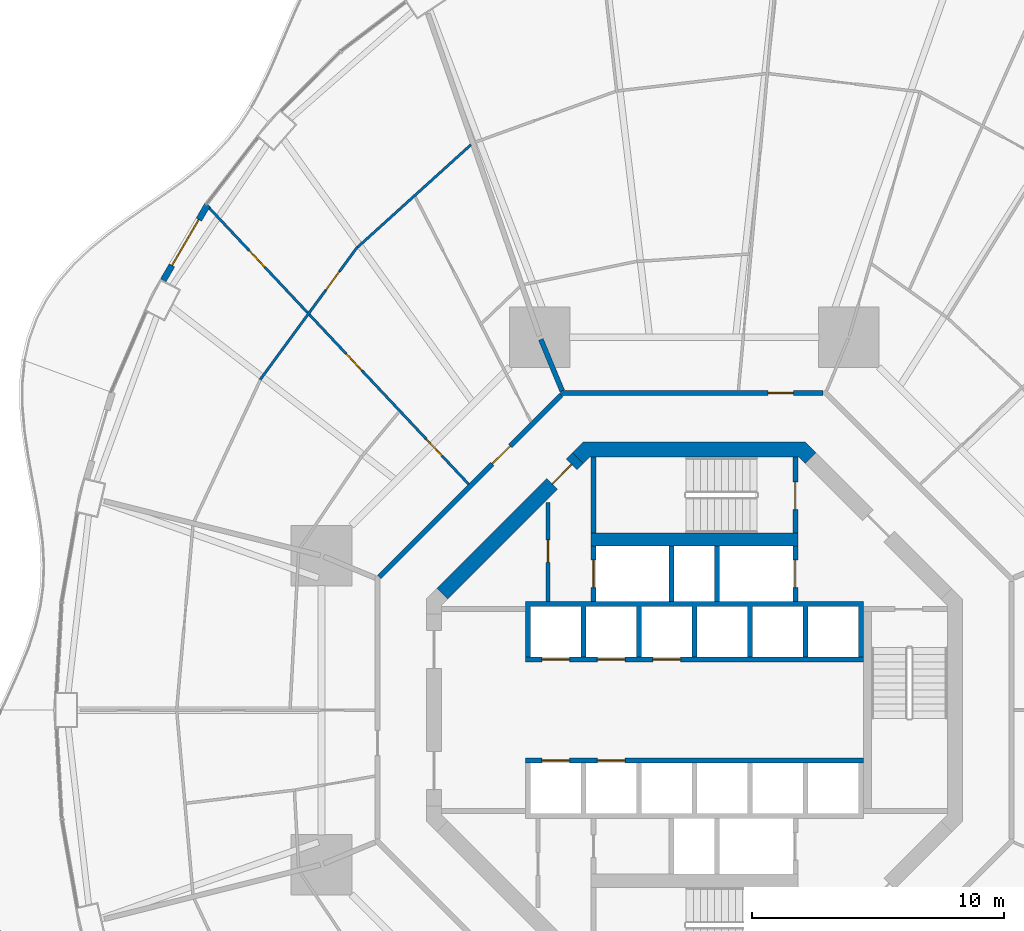
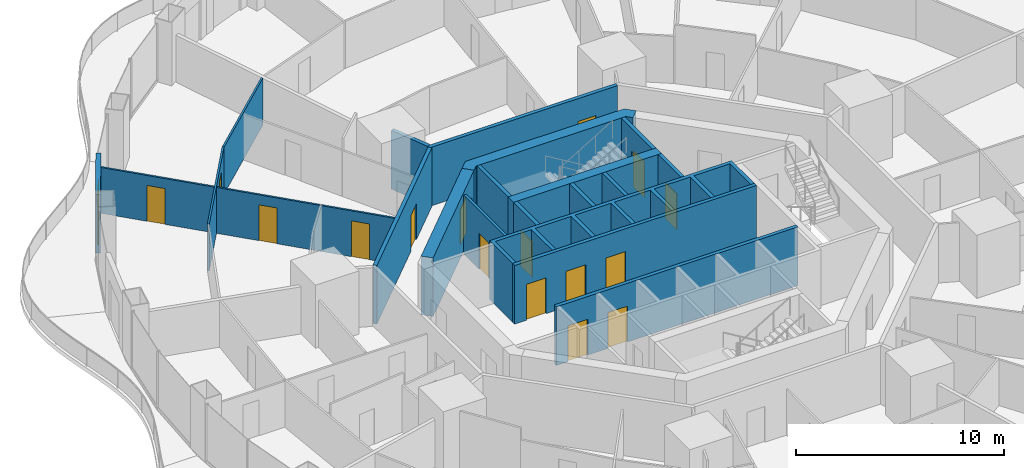
# One storey, part 17 of 22: 20 walls, 17 doors, 17 openings.
"""IFC4 building model written with IfcOpenShell, lengths in metres."""

from ifc_helpers import new_model, si_unit, direction, frame, frame_2d, origin, place, context, subcontext, project, spatial, polyline, rectangle, outline, extrude, material, layer, layer_set, type_object, element, fill, save


model = new_model("IFC4")

# Units and contexts
model_context = context("Model", 3, precision=1e-05, world=origin(), true_north=direction((0.0, 1.0)))
body_context = subcontext(model_context, "Body", "Model", "MODEL_VIEW")
ifc_project = project(units=[si_unit("LENGTHUNIT", "METRE"), si_unit("AREAUNIT", "SQUARE_METRE"), si_unit("VOLUMEUNIT", "CUBIC_METRE"), si_unit("PLANEANGLEUNIT", "RADIAN"), si_unit("MASSUNIT", "GRAM", prefix="KILO")], contexts=[model_context])

# Site, building, storey
site_placement = place(None, origin())
site = spatial("IfcSite", under=ifc_project, at=site_placement, CompositionType="ELEMENT")
building_placement = place(site_placement, origin())
building = spatial("IfcBuilding", under=site, at=building_placement, Name="Nagisa Residences", CompositionType="ELEMENT")
storey_placement = place(building_placement, frame((0.0, 0.0, 49.199951171875)))
storey = spatial("IfcBuildingStorey", under=building, at=storey_placement, Name="L11", CompositionType="ELEMENT", Elevation=49.199951171875)

# Wall
ifc_material_1 = material(Name="Gypsum board on steel studs", Category="steel")
ifc_layer_1 = layer(ifc_material_1, 0.199951171875)
ifc_layer_set_1 = layer_set([ifc_layer_1], Name="Apartment compartment wall EI60 200")
wall_type_1 = type_object("IfcWallType", Name="Apartment compartment wall EI60 200", PredefinedType="PARTITIONING", material=ifc_layer_set_1)
wall_1_placement = place(storey_placement, frame((-5.24267578125, 12.6572265625, 0.0), z_axis=(0.0, 0.0, 1.0), x_axis=(-0.382668627144, 0.923885664896, 0.0)))
element("IfcWall", 1, at=wall_1_placement, inside=storey, type_object=wall_type_1, Name="wall:L11:u02", PredefinedType="PARTITIONING", context=body_context, shape_type="SweptSolid", body=[
    extrude(rectangle(XDim=2.200439453125, YDim=0.199951171875, at=frame_2d((1.10009765625, 0.0))), origin(), (0.0, 0.0, 1.0), 3.43994140625),
])

# Wall, opening, door
ifc_material_2 = material(Name="Gypsum board on steel studs", Category="steel")
ifc_layer_2 = layer(ifc_material_2, 0.199951171875)
ifc_layer_set_2 = layer_set([ifc_layer_2], Name="Apartment entry wall EI60 200")
wall_type_2 = type_object("IfcWallType", Name="Apartment entry wall EI60 200", PredefinedType="PARTITIONING", material=ifc_layer_set_2)
wall_2_placement = place(storey_placement, frame((5.1044921875, 12.564697265625, 0.0), z_axis=(0.0, 0.0, 1.0), x_axis=(-1.0, 0.0, 0.0)))
wall_2 = element("IfcWall", 2, at=wall_2_placement, inside=storey, type_object=wall_type_2, Name="wall:L11:u12", PredefinedType="PARTITIONING", context=body_context, shape_type="SweptSolid", body=[
    extrude(rectangle(XDim=10.408935546875, YDim=0.199951171875, at=frame_2d((5.20458984375, 0.0))), origin(), (0.0, 0.0, 1.0), 3.43994140625),
])
opening_1_placement = place(wall_2_placement, frame((1.184814453125, 0.0, 0.0)))
opening_1 = element("IfcOpeningElement", 3, at=opening_1_placement, cuts=wall_2, Name="Opening L11-U43", PredefinedType="OPENING", context=body_context, shape_type="SweptSolid", body=[
    extrude(rectangle(XDim=1.0, YDim=2.10009765625, at=frame_2d((0.5, 1.050048828125))), frame((0.0, 0.10986328125, 0.0), z_axis=(0.0, -1.0, 0.0), x_axis=(1.0, 0.0, 0.0)), (0.0, 0.0, 1.0), 0.219970703125),
])
ifc_material_3 = material(Name="Timber fire door set", Category="wood")
door_type_1 = type_object("IfcDoorType", Name="Apartment entry door FD30S 1000x2100", OperationType="NOTDEFINED", PredefinedType="DOOR", material=ifc_material_3)
door_1_placement = place(opening_1_placement, frame((1.0, 0.0, 0.0), x_axis=(-1.0, 0.0, 0.0)))
door_1 = element("IfcDoor", 4, at=door_1_placement, inside=storey, type_object=door_type_1, Name="Entry door, Apartment 11E", OperationType="SINGLE_SWING_RIGHT", OverallHeight=2.10009765625, OverallWidth=1.0, PredefinedType="DOOR", context=body_context, shape_type="SweptSolid", body=[
    extrude(rectangle(XDim=1.0, YDim=2.10009765625, at=frame_2d((0.5, 1.050048828125))), frame((0.0, 0.02490234375, 0.0), z_axis=(0.0, -1.0, 0.0), x_axis=(1.0, 0.0, 0.0)), (0.0, 0.0, 1.0), 0.050048828125),
])
fill(opening_1, door_1)

wall_3_placement = place(storey_placement, frame((-5.275146484375, 12.494140625, 0.0), z_axis=(0.0, 0.0, 1.0), x_axis=(-0.707106781187, -0.707106781187, 0.0)))
wall_3 = element("IfcWall", 5, at=wall_3_placement, inside=storey, type_object=wall_type_2, Name="wall:L11:u13", PredefinedType="PARTITIONING", context=body_context, shape_type="SweptSolid", body=[
    extrude(rectangle(XDim=10.209228515625, YDim=0.199951171875, at=frame_2d((5.1044921875, 0.0))), origin(), (0.0, 0.0, 1.0), 3.43994140625),
])
opening_2_placement = place(wall_3_placement, frame((2.86962890625, 0.0, 0.0)))
opening_2 = element("IfcOpeningElement", 6, at=opening_2_placement, cuts=wall_3, Name="Opening L11-U01", PredefinedType="OPENING", context=body_context, shape_type="SweptSolid", body=[
    extrude(rectangle(XDim=1.0, YDim=2.10009765625, at=frame_2d((0.5, 1.050048828125))), frame((0.0, 0.10986328125, 0.0), z_axis=(0.0, -1.0, 0.0), x_axis=(1.0, 0.0, 0.0)), (0.0, 0.0, 1.0), 0.219970703125),
])
door_2_placement = place(opening_2_placement, frame((1.0, 0.0, 0.0), x_axis=(-1.0, 0.0, 0.0)))
door_2 = element("IfcDoor", 7, at=door_2_placement, inside=storey, type_object=door_type_1, Name="Entry door, Apartment 11A", OperationType="SINGLE_SWING_RIGHT", OverallHeight=2.10009765625, OverallWidth=1.0, PredefinedType="DOOR", context=body_context, shape_type="SweptSolid", body=[
    extrude(rectangle(XDim=1.0, YDim=2.10009765625, at=frame_2d((0.5, 1.050048828125))), frame((0.0, 0.02490234375, 0.0), z_axis=(0.0, -1.0, 0.0), x_axis=(1.0, 0.0, 0.0)), (0.0, 0.0, 1.0), 0.050048828125),
])
fill(opening_2, door_2)

# Wall
ifc_material_4 = material(Name="Gypsum board on steel studs", Category="steel")
ifc_layer_3 = layer(ifc_material_4, 0.10009765625)
ifc_layer_set_3 = layer_set([ifc_layer_3], Name="Apartment partition 100")
wall_type_3 = type_object("IfcWallType", Name="Apartment partition 100", PredefinedType="PARTITIONING", material=ifc_layer_set_3)
wall_4_placement = place(storey_placement, frame((-8.860595703125, 22.4072265625, 0.0), z_axis=(0.0, 0.0, 1.0), x_axis=(-0.741713303551, -0.670717060567, 0.0)))
element("IfcWall", 8, at=wall_4_placement, inside=storey, type_object=wall_type_3, Name="wall:L11:u46", PredefinedType="PARTITIONING", context=body_context, shape_type="SweptSolid", body=[
    extrude(rectangle(XDim=6.05908203125, YDim=0.10009765625, at=frame_2d((3.029541015625, 0.0))), origin(), (0.0, 0.0, 1.0), 2.756103515625),
])

# Wall, opening, door
wall_5_placement = place(storey_placement, frame((-13.3623046875, 18.35009765625, 0.0), z_axis=(0.0, 0.0, 1.0), x_axis=(-0.591191311491, -0.806531359104, 0.0)))
wall_5 = element("IfcWall", 9, at=wall_5_placement, inside=storey, type_object=wall_type_3, Name="wall:L11:u48", PredefinedType="PARTITIONING", context=body_context, shape_type="SweptSolid", body=[
    extrude(rectangle(XDim=6.510009765625, YDim=0.10009765625, at=frame_2d((3.2548828125, 0.0))), origin(), (0.0, 0.0, 1.0), 2.756103515625),
])
opening_3_placement = place(wall_5_placement, frame((1.202392578125, 0.0, 0.0)))
opening_3 = element("IfcOpeningElement", 10, at=opening_3_placement, cuts=wall_5, Name="Opening L11-U06", PredefinedType="OPENING", context=body_context, shape_type="SweptSolid", body=[
    extrude(rectangle(XDim=0.89990234375, YDim=2.10009765625, at=frame_2d((0.449951171875, 1.050048828125))), frame((0.0, 0.06005859375, 0.0), z_axis=(0.0, -1.0, 0.0), x_axis=(1.0, 0.0, 0.0)), (0.0, 0.0, 1.0), 0.1201171875),
])
ifc_material_5 = material(Name="Timber door set", Category="wood")
door_type_2 = type_object("IfcDoorType", Name="Apartment door 900x2100", OperationType="NOTDEFINED", PredefinedType="DOOR", material=ifc_material_5)
door_3_placement = place(opening_3_placement, frame((0.89990234375, 0.0, 0.0), x_axis=(-1.0, 0.0, 0.0)))
door_3 = element("IfcDoor", 11, at=door_3_placement, inside=storey, type_object=door_type_2, Name="Door to family room, Apartment 11A", OperationType="SINGLE_SWING_LEFT", OverallHeight=2.10009765625, OverallWidth=0.89990234375, PredefinedType="DOOR", context=body_context, shape_type="SweptSolid", body=[
    extrude(rectangle(XDim=0.89990234375, YDim=2.10009765625, at=frame_2d((0.449951171875, 1.050048828125))), frame((0.0, 0.02490234375, 0.0), z_axis=(0.0, -1.0, 0.0), x_axis=(1.0, 0.0, 0.0)), (0.0, 0.0, 1.0), 0.050048828125),
])
fill(opening_3, door_3)

# Wall, openings, doors
wall_6_placement = place(storey_placement, frame((-8.953125, 8.95751953125, 0.0), z_axis=(0.0, 0.0, 1.0), x_axis=(-0.684574307023, 0.728943082939, 0.0)))
wall_6 = element("IfcWall", 12, at=wall_6_placement, inside=storey, type_object=wall_type_3, Name="wall:L11:u49", PredefinedType="PARTITIONING", context=body_context, shape_type="SweptSolid", body=[
    extrude(rectangle(XDim=15.23095703125, YDim=0.10009765625, at=frame_2d((7.615478515625, 0.0))), origin(), (0.0, 0.0, 1.0), 2.68701171875),
])
opening_4_placement = place(wall_6_placement, frame((1.5400390625, 0.0, 0.0)))
opening_4 = element("IfcOpeningElement", 13, at=opening_4_placement, cuts=wall_6, Name="Opening L11-U03", PredefinedType="OPENING", context=body_context, shape_type="SweptSolid", body=[
    extrude(rectangle(XDim=0.89990234375, YDim=2.10009765625, at=frame_2d((0.449951171875, 1.050048828125))), frame((0.0, 0.06005859375, 0.0), z_axis=(0.0, -1.0, 0.0), x_axis=(1.0, 0.0, 0.0)), (0.0, 0.0, 1.0), 0.1201171875),
])
opening_5_placement = place(wall_6_placement, frame((6.17431640625, 0.0, 0.0)))
opening_5 = element("IfcOpeningElement", 14, at=opening_5_placement, cuts=wall_6, Name="Opening L11-U05", PredefinedType="OPENING", context=body_context, shape_type="SweptSolid", body=[
    extrude(rectangle(XDim=0.89990234375, YDim=2.10009765625, at=frame_2d((0.449951171875, 1.050048828125))), frame((0.0, 0.06005859375, 0.0), z_axis=(0.0, -1.0, 0.0), x_axis=(1.0, 0.0, 0.0)), (0.0, 0.0, 1.0), 0.1201171875),
])
opening_6_placement = place(wall_6_placement, frame((11.7998046875, 0.0, 0.0)))
opening_6 = element("IfcOpeningElement", 15, at=opening_6_placement, cuts=wall_6, Name="Opening L11-U07", PredefinedType="OPENING", context=body_context, shape_type="SweptSolid", body=[
    extrude(rectangle(XDim=0.89990234375, YDim=2.10009765625, at=frame_2d((0.449951171875, 1.050048828125))), frame((0.0, 0.06005859375, 0.0), z_axis=(0.0, -1.0, 0.0), x_axis=(1.0, 0.0, 0.0)), (0.0, 0.0, 1.0), 0.1201171875),
])
door_4_placement = place(opening_4_placement, origin())
door_4 = element("IfcDoor", 16, at=door_4_placement, inside=storey, type_object=door_type_2, Name="Door to store, Apartment 11A", OperationType="SINGLE_SWING_LEFT", OverallHeight=2.10009765625, OverallWidth=0.89990234375, PredefinedType="DOOR", context=body_context, shape_type="SweptSolid", body=[
    extrude(rectangle(XDim=0.89990234375, YDim=2.10009765625, at=frame_2d((0.449951171875, 1.050048828125))), frame((0.0, 0.02490234375, 0.0), z_axis=(0.0, -1.0, 0.0), x_axis=(1.0, 0.0, 0.0)), (0.0, 0.0, 1.0), 0.050048828125),
])
fill(opening_4, door_4)
door_5_placement = place(opening_5_placement, origin())
door_5 = element("IfcDoor", 17, at=door_5_placement, inside=storey, type_object=door_type_2, Name="Door to kitchen, Apartment 11A", OperationType="SINGLE_SWING_LEFT", OverallHeight=2.10009765625, OverallWidth=0.89990234375, PredefinedType="DOOR", context=body_context, shape_type="SweptSolid", body=[
    extrude(rectangle(XDim=0.89990234375, YDim=2.10009765625, at=frame_2d((0.449951171875, 1.050048828125))), frame((0.0, 0.02490234375, 0.0), z_axis=(0.0, -1.0, 0.0), x_axis=(1.0, 0.0, 0.0)), (0.0, 0.0, 1.0), 0.050048828125),
])
fill(opening_5, door_5)
door_6_placement = place(opening_6_placement, origin())
door_6 = element("IfcDoor", 18, at=door_6_placement, inside=storey, type_object=door_type_2, Name="Door to master bedroom, Apartment 11A", OperationType="SINGLE_SWING_LEFT", OverallHeight=2.10009765625, OverallWidth=0.89990234375, PredefinedType="DOOR", context=body_context, shape_type="SweptSolid", body=[
    extrude(rectangle(XDim=0.89990234375, YDim=2.10009765625, at=frame_2d((0.449951171875, 1.050048828125))), frame((0.0, 0.02490234375, 0.0), z_axis=(0.0, -1.0, 0.0), x_axis=(1.0, 0.0, 0.0)), (0.0, 0.0, 1.0), 0.050048828125),
])
fill(opening_6, door_6)

# Wall, opening, door
ifc_material_6 = material(Name="Precast concrete C40/50", Category="concrete")
ifc_layer_4 = layer(ifc_material_6, 0.25)
ifc_layer_set_4 = layer_set([ifc_layer_4], Name="BALCONY DOOR WALL 250")
wall_type_4 = type_object("IfcWallType", Name="BALCONY DOOR WALL 250", PredefinedType="SOLIDWALL", material=ifc_layer_set_4)
wall_7_placement = place(storey_placement, frame((-21.052490234375, 17.040283203125, 0.0), z_axis=(0.0, 0.0, 1.0), x_axis=(0.506311160839, 0.862350861546, 0.0)))
wall_7 = element("IfcWall", 19, at=wall_7_placement, inside=storey, type_object=wall_type_4, Name="wall:L11:bay19", PredefinedType="SOLIDWALL", context=body_context, shape_type="SweptSolid", body=[
    extrude(rectangle(XDim=3.462158203125, YDim=0.25, at=frame_2d((1.73095703125, 0.0))), origin(), (0.0, 0.0, 1.0), 3.43994140625),
])
opening_7_placement = place(wall_7_placement, frame((0.68115234375, 0.0, 0.0)))
opening_7 = element("IfcOpeningElement", 20, at=opening_7_placement, cuts=wall_7, Name="Opening BD-L11-07", PredefinedType="OPENING", context=body_context, shape_type="SweptSolid", body=[
    extrude(rectangle(XDim=2.10009765625, YDim=2.39990234375, at=frame_2d((1.050048828125, 1.199951171875))), frame((0.0, 0.135009765625, 0.0), z_axis=(0.0, -1.0, 0.0), x_axis=(1.0, 0.0, 0.0)), (0.0, 0.0, 1.0), 0.27001953125),
])
ifc_material_7 = material(Name="Aluminium and clear glass", Category="aluminium")
door_type_3 = type_object("IfcDoorType", Name="BALCONY SLIDING DOOR 2100x2400", OperationType="SLIDING_TO_LEFT", PredefinedType="DOOR", material=ifc_material_7)
door_7_placement = place(opening_7_placement, origin())
door_7 = element("IfcDoor", 21, at=door_7_placement, inside=storey, type_object=door_type_3, Name="door:L11:bay19", OperationType="SLIDING_TO_LEFT", OverallHeight=2.39990234375, OverallWidth=2.10009765625, PredefinedType="DOOR", context=body_context, shape_type="SweptSolid", body=[
    extrude(rectangle(XDim=2.10009765625, YDim=2.39990234375, at=frame_2d((1.050048828125, 1.199951171875))), frame((0.0, 0.02490234375, 0.0), z_axis=(0.0, -1.0, 0.0), x_axis=(1.0, 0.0, 0.0)), (0.0, 0.0, 1.0), 0.050048828125),
])
fill(opening_7, door_7)

ifc_material_8 = material(Name="Gypsum board on steel studs", Category="steel")
ifc_layer_5 = layer(ifc_material_8, 0.14990234375)
ifc_layer_set_5 = layer_set([ifc_layer_5], Name="Core partition 150")
wall_type_5 = type_object("IfcWallType", Name="Core partition 150", PredefinedType="PARTITIONING", material=ifc_layer_set_5)
wall_8_placement = place(storey_placement, frame((-5.800048828125, 4.300048828125, 0.0), z_axis=(0.0, 0.0, 1.0), x_axis=(0.0, 1.0, 0.0)))
wall_8 = element("IfcWall", 22, at=wall_8_placement, inside=storey, type_object=wall_type_5, Name="wall:L11:NWp", PredefinedType="PARTITIONING", context=body_context, shape_type="SweptSolid", body=[
    extrude(rectangle(XDim=3.927001953125, YDim=0.14990234375, at=frame_2d((1.96337890625, 0.0))), origin(), (0.0, 0.0, 1.0), 3.43994140625),
])
opening_8_placement = place(wall_8_placement, frame((1.551025390625, 0.0, 0.0)))
opening_8 = element("IfcOpeningElement", 23, at=opening_8_placement, cuts=wall_8, Name="Opening L11-C12", PredefinedType="OPENING", context=body_context, shape_type="SweptSolid", body=[
    extrude(rectangle(XDim=0.89990234375, YDim=2.10009765625, at=frame_2d((0.449951171875, 1.050048828125))), frame((0.0, 0.0849609375, 0.0), z_axis=(0.0, -1.0, 0.0), x_axis=(1.0, 0.0, 0.0)), (0.0, 0.0, 1.0), 0.169921875),
])
ifc_material_9 = material(Name="Steel fire door", Category="steel")
door_type_4 = type_object("IfcDoorType", Name="Fire door EI30 900x2100 single swing", OperationType="NOTDEFINED", PredefinedType="DOOR", material=ifc_material_9)
door_8_placement = place(opening_8_placement, origin())
door_8 = element("IfcDoor", 24, at=door_8_placement, inside=storey, type_object=door_type_4, Name="Package room door L11", OperationType="SINGLE_SWING_LEFT", OverallHeight=2.10009765625, OverallWidth=0.89990234375, PredefinedType="DOOR", context=body_context, shape_type="SweptSolid", body=[
    extrude(rectangle(XDim=0.89990234375, YDim=2.10009765625, at=frame_2d((0.449951171875, 1.050048828125))), frame((0.0, 0.02490234375, 0.0), z_axis=(0.0, -1.0, 0.0), x_axis=(1.0, 0.0, 0.0)), (0.0, 0.0, 1.0), 0.050048828125),
])
fill(opening_8, door_8)

ifc_material_10 = material(Name="Concrete C60", Category="concrete")
ifc_layer_6 = layer(ifc_material_10, 0.60009765625)
ifc_layer_set_6 = layer_set([ifc_layer_6], Name="Core shear wall 600")
wall_type_6 = type_object("IfcWallType", Name="Core shear wall 600", PredefinedType="SHEAR", material=ifc_layer_set_6)
wall_9_placement = place(storey_placement, frame((-4.613037109375, 9.98828125, 0.0), z_axis=(0.0, 0.0, 1.0), x_axis=(-0.707106781187, -0.707106781187, 0.0)))
wall_9 = element("IfcWall", 25, at=wall_9_placement, inside=storey, type_object=wall_type_6, Name="wall:L11:core:flat3", PredefinedType="SHEAR", context=body_context, shape_type="SweptSolid", body=[
    extrude(rectangle(XDim=7.601806640625, YDim=0.60009765625, at=frame_2d((3.80078125, 0.0))), origin(), (0.0, 0.0, 1.0), 3.43994140625),
])
opening_9_placement = place(wall_9_placement, frame((0.350830078125, 0.0, 0.0)))
opening_9 = element("IfcOpeningElement", 26, at=opening_9_placement, cuts=wall_9, Name="Opening L11-C19", PredefinedType="OPENING", context=body_context, shape_type="SweptSolid", body=[
    extrude(rectangle(XDim=1.10009765625, YDim=2.10009765625, at=frame_2d((0.550048828125, 1.050048828125))), frame((0.0, 0.31005859375, 0.0), z_axis=(0.0, -1.0, 0.0), x_axis=(1.0, 0.0, 0.0)), (0.0, 0.0, 1.0), 0.6201171875),
])
ifc_material_11 = material(Name="Steel fire door", Category="steel")
door_type_5 = type_object("IfcDoorType", Name="Fire door EI60 1100x2100 single swing", OperationType="NOTDEFINED", PredefinedType="DOOR", material=ifc_material_11)
door_9_placement = place(opening_9_placement, origin())
door_9 = element("IfcDoor", 27, at=door_9_placement, inside=storey, type_object=door_type_5, Name="Service lobby door L11", OperationType="SINGLE_SWING_RIGHT", OverallHeight=2.10009765625, OverallWidth=1.10009765625, PredefinedType="DOOR", context=body_context, shape_type="SweptSolid", body=[
    extrude(rectangle(XDim=1.10009765625, YDim=2.10009765625, at=frame_2d((0.550048828125, 1.050048828125))), frame((0.0, 0.02490234375, 0.0), z_axis=(0.0, -1.0, 0.0), x_axis=(1.0, 0.0, 0.0)), (0.0, 0.0, 1.0), 0.050048828125),
])
fill(opening_9, door_9)

# Wall
wall_10_placement = place(storey_placement, origin())
element("IfcWall", 28, at=wall_10_placement, inside=storey, type_object=wall_type_6, Name="wall:L11:core:flat2", PredefinedType="SHEAR", context=body_context, shape_type="SweptSolid", body=[
    extrude(outline(polyline([(-4.15234375, 10.024658203125), (-4.40087890625, 9.776123046875), (-4.8251953125, 10.200439453125), (-4.40087890625, 10.62451171875), (4.40087890625, 10.62451171875), (4.8251953125, 10.200439453125), (4.40087890625, 9.776123046875), (4.15234375, 10.024658203125), (-4.15234375, 10.024658203125)])), origin(), (0.0, 0.0, 1.0), 3.43994140625),
])

# Wall, opening, door
ifc_material_12 = material(Name="Concrete C60", Category="concrete")
ifc_layer_7 = layer(ifc_material_12, 0.199951171875)
ifc_layer_set_7 = layer_set([ifc_layer_7], Name="Lift shaft wall 200")
wall_type_7 = type_object("IfcWallType", Name="Lift shaft wall 200", PredefinedType="SOLIDWALL", material=ifc_layer_set_7)
wall_11_placement = place(storey_placement, frame((4.0, 4.300048828125, 0.0), z_axis=(0.0, 0.0, 1.0), x_axis=(0.0, 1.0, 0.0)))
wall_11 = element("IfcWall", 29, at=wall_11_placement, inside=storey, type_object=wall_type_7, Name="wall:L11:Nb3", PredefinedType="SOLIDWALL", context=body_context, shape_type="SweptSolid", body=[
    extrude(rectangle(XDim=2.199951171875, YDim=0.199951171875, at=frame_2d((1.10009765625, 0.0))), origin(), (0.0, 0.0, 1.0), 3.43994140625),
])
opening_10_placement = place(wall_11_placement, frame((0.550048828125, 0.0, 0.0)))
opening_10 = element("IfcOpeningElement", 30, at=opening_10_placement, cuts=wall_11, Name="Opening L11-C06", PredefinedType="OPENING", context=body_context, shape_type="SweptSolid", body=[
    extrude(rectangle(XDim=1.10009765625, YDim=2.10009765625, at=frame_2d((0.550048828125, 1.050048828125))), frame((0.0, 0.10986328125, 0.0), z_axis=(0.0, -1.0, 0.0), x_axis=(1.0, 0.0, 0.0)), (0.0, 0.0, 1.0), 0.219970703125),
])
ifc_material_13 = material(Name="Stainless steel", Category="steel")
door_type_6 = type_object("IfcDoorType", Name="Lift landing door 1100x2100", OperationType="DOUBLE_DOOR_SLIDING", PredefinedType="DOOR", material=ifc_material_13)
door_10_placement = place(opening_10_placement, origin())
door_10 = element("IfcDoor", 31, at=door_10_placement, inside=storey, type_object=door_type_6, Name="Landing door FL1 L11", OperationType="DOUBLE_DOOR_SLIDING", OverallHeight=2.10009765625, OverallWidth=1.10009765625, PredefinedType="DOOR", context=body_context, shape_type="SweptSolid", body=[
    extrude(rectangle(XDim=1.10009765625, YDim=2.10009765625, at=frame_2d((0.550048828125, 1.050048828125))), frame((0.0, 0.02490234375, 0.0), z_axis=(0.0, -1.0, 0.0), x_axis=(1.0, 0.0, 0.0)), (0.0, 0.0, 1.0), 0.050048828125),
])
fill(opening_10, door_10)

wall_12_placement = place(storey_placement, frame((-4.0, 4.300048828125, 0.0), z_axis=(0.0, 0.0, 1.0), x_axis=(0.0, 1.0, 0.0)))
wall_12 = element("IfcWall", 32, at=wall_12_placement, inside=storey, type_object=wall_type_7, Name="wall:L11:Nb4", PredefinedType="SOLIDWALL", context=body_context, shape_type="SweptSolid", body=[
    extrude(rectangle(XDim=2.199951171875, YDim=0.199951171875, at=frame_2d((1.10009765625, 0.0))), origin(), (0.0, 0.0, 1.0), 3.43994140625),
])
opening_11_placement = place(wall_12_placement, frame((0.550048828125, 0.0, 0.0)))
opening_11 = element("IfcOpeningElement", 33, at=opening_11_placement, cuts=wall_12, Name="Opening L11-C08", PredefinedType="OPENING", context=body_context, shape_type="SweptSolid", body=[
    extrude(rectangle(XDim=1.10009765625, YDim=2.10009765625, at=frame_2d((0.550048828125, 1.050048828125))), frame((0.0, 0.10986328125, 0.0), z_axis=(0.0, -1.0, 0.0), x_axis=(1.0, 0.0, 0.0)), (0.0, 0.0, 1.0), 0.219970703125),
])
door_11_placement = place(opening_11_placement, origin())
door_11 = element("IfcDoor", 34, at=door_11_placement, inside=storey, type_object=door_type_6, Name="Landing door SV L11", OperationType="DOUBLE_DOOR_SLIDING", OverallHeight=2.10009765625, OverallWidth=1.10009765625, PredefinedType="DOOR", context=body_context, shape_type="SweptSolid", body=[
    extrude(rectangle(XDim=1.10009765625, YDim=2.10009765625, at=frame_2d((0.550048828125, 1.050048828125))), frame((0.0, 0.02490234375, 0.0), z_axis=(0.0, -1.0, 0.0), x_axis=(1.0, 0.0, 0.0)), (0.0, 0.0, 1.0), 0.050048828125),
])
fill(opening_11, door_11)

# Wall, openings, doors
wall_13_placement = place(storey_placement, frame((-6.699951171875, 2.0, 0.0), z_axis=(0.0, 0.0, 1.0), x_axis=(1.0, 0.0, 0.0)))
wall_13 = element("IfcWall", 35, at=wall_13_placement, inside=storey, type_object=wall_type_7, Name="wall:L11:Nfront", PredefinedType="SOLIDWALL", context=body_context, shape_type="SweptSolid", body=[
    extrude(rectangle(XDim=13.39990234375, YDim=0.199951171875, at=frame_2d((6.699951171875, 0.0))), origin(), (0.0, 0.0, 1.0), 3.43994140625),
])
opening_12_placement = place(wall_13_placement, frame((0.64990234375, 0.0, 0.0)))
opening_12 = element("IfcOpeningElement", 36, at=opening_12_placement, cuts=wall_13, Name="Opening L11-C01", PredefinedType="OPENING", context=body_context, shape_type="SweptSolid", body=[
    extrude(rectangle(XDim=1.10009765625, YDim=2.10009765625, at=frame_2d((0.550048828125, 1.050048828125))), frame((0.0, 0.10986328125, 0.0), z_axis=(0.0, -1.0, 0.0), x_axis=(1.0, 0.0, 0.0)), (0.0, 0.0, 1.0), 0.219970703125),
])
opening_13_placement = place(wall_13_placement, frame((2.85009765625, 0.0, 0.0)))
opening_13 = element("IfcOpeningElement", 37, at=opening_13_placement, cuts=wall_13, Name="Opening L11-C02", PredefinedType="OPENING", context=body_context, shape_type="SweptSolid", body=[
    extrude(rectangle(XDim=1.10009765625, YDim=2.10009765625, at=frame_2d((0.550048828125, 1.050048828125))), frame((0.0, 0.10986328125, 0.0), z_axis=(0.0, -1.0, 0.0), x_axis=(1.0, 0.0, 0.0)), (0.0, 0.0, 1.0), 0.219970703125),
])
opening_14_placement = place(wall_13_placement, frame((5.050048828125, 0.0, 0.0)))
opening_14 = element("IfcOpeningElement", 38, at=opening_14_placement, cuts=wall_13, Name="Opening L11-C03", PredefinedType="OPENING", context=body_context, shape_type="SweptSolid", body=[
    extrude(rectangle(XDim=1.10009765625, YDim=2.10009765625, at=frame_2d((0.550048828125, 1.050048828125))), frame((0.0, 0.10986328125, 0.0), z_axis=(0.0, -1.0, 0.0), x_axis=(1.0, 0.0, 0.0)), (0.0, 0.0, 1.0), 0.219970703125),
])
door_12_placement = place(opening_12_placement, origin())
door_12 = element("IfcDoor", 39, at=door_12_placement, inside=storey, type_object=door_type_6, Name="Landing door A1 L11", OperationType="DOUBLE_DOOR_SLIDING", OverallHeight=2.10009765625, OverallWidth=1.10009765625, PredefinedType="DOOR", context=body_context, shape_type="SweptSolid", body=[
    extrude(rectangle(XDim=1.10009765625, YDim=2.10009765625, at=frame_2d((0.550048828125, 1.050048828125))), frame((0.0, 0.02490234375, 0.0), z_axis=(0.0, -1.0, 0.0), x_axis=(1.0, 0.0, 0.0)), (0.0, 0.0, 1.0), 0.050048828125),
])
fill(opening_12, door_12)
door_13_placement = place(opening_13_placement, origin())
door_13 = element("IfcDoor", 40, at=door_13_placement, inside=storey, type_object=door_type_6, Name="Landing door A2 L11", OperationType="DOUBLE_DOOR_SLIDING", OverallHeight=2.10009765625, OverallWidth=1.10009765625, PredefinedType="DOOR", context=body_context, shape_type="SweptSolid", body=[
    extrude(rectangle(XDim=1.10009765625, YDim=2.10009765625, at=frame_2d((0.550048828125, 1.050048828125))), frame((0.0, 0.02490234375, 0.0), z_axis=(0.0, -1.0, 0.0), x_axis=(1.0, 0.0, 0.0)), (0.0, 0.0, 1.0), 0.050048828125),
])
fill(opening_13, door_13)
door_14_placement = place(opening_14_placement, origin())
door_14 = element("IfcDoor", 41, at=door_14_placement, inside=storey, type_object=door_type_6, Name="Landing door A3 L11", OperationType="DOUBLE_DOOR_SLIDING", OverallHeight=2.10009765625, OverallWidth=1.10009765625, PredefinedType="DOOR", context=body_context, shape_type="SweptSolid", body=[
    extrude(rectangle(XDim=1.10009765625, YDim=2.10009765625, at=frame_2d((0.550048828125, 1.050048828125))), frame((0.0, 0.02490234375, 0.0), z_axis=(0.0, -1.0, 0.0), x_axis=(1.0, 0.0, 0.0)), (0.0, 0.0, 1.0), 0.050048828125),
])
fill(opening_14, door_14)

wall_14_placement = place(storey_placement, frame((-6.699951171875, -2.0, 0.0), z_axis=(0.0, 0.0, 1.0), x_axis=(1.0, 0.0, 0.0)))
wall_14 = element("IfcWall", 42, at=wall_14_placement, inside=storey, type_object=wall_type_7, Name="wall:L11:Sfront", PredefinedType="SOLIDWALL", context=body_context, shape_type="SweptSolid", body=[
    extrude(rectangle(XDim=13.39990234375, YDim=0.199951171875, at=frame_2d((6.699951171875, 0.0))), origin(), (0.0, 0.0, 1.0), 3.43994140625),
])
opening_15_placement = place(wall_14_placement, frame((0.64990234375, 0.0, 0.0)))
opening_15 = element("IfcOpeningElement", 43, at=opening_15_placement, cuts=wall_14, Name="Opening L11-C04", PredefinedType="OPENING", context=body_context, shape_type="SweptSolid", body=[
    extrude(rectangle(XDim=1.10009765625, YDim=2.10009765625, at=frame_2d((0.550048828125, 1.050048828125))), frame((0.0, 0.10986328125, 0.0), z_axis=(0.0, -1.0, 0.0), x_axis=(1.0, 0.0, 0.0)), (0.0, 0.0, 1.0), 0.219970703125),
])
opening_16_placement = place(wall_14_placement, frame((2.85009765625, 0.0, 0.0)))
opening_16 = element("IfcOpeningElement", 44, at=opening_16_placement, cuts=wall_14, Name="Opening L11-C05", PredefinedType="OPENING", context=body_context, shape_type="SweptSolid", body=[
    extrude(rectangle(XDim=1.10009765625, YDim=2.10009765625, at=frame_2d((0.550048828125, 1.050048828125))), frame((0.0, 0.10986328125, 0.0), z_axis=(0.0, -1.0, 0.0), x_axis=(1.0, 0.0, 0.0)), (0.0, 0.0, 1.0), 0.219970703125),
])
door_15_placement = place(opening_15_placement, origin())
door_15 = element("IfcDoor", 45, at=door_15_placement, inside=storey, type_object=door_type_6, Name="Landing door A4 L11", OperationType="DOUBLE_DOOR_SLIDING", OverallHeight=2.10009765625, OverallWidth=1.10009765625, PredefinedType="DOOR", context=body_context, shape_type="SweptSolid", body=[
    extrude(rectangle(XDim=1.10009765625, YDim=2.10009765625, at=frame_2d((0.550048828125, 1.050048828125))), frame((0.0, 0.02490234375, 0.0), z_axis=(0.0, -1.0, 0.0), x_axis=(1.0, 0.0, 0.0)), (0.0, 0.0, 1.0), 0.050048828125),
])
fill(opening_15, door_15)
door_16_placement = place(opening_16_placement, origin())
door_16 = element("IfcDoor", 46, at=door_16_placement, inside=storey, type_object=door_type_6, Name="Landing door A5 L11", OperationType="DOUBLE_DOOR_SLIDING", OverallHeight=2.10009765625, OverallWidth=1.10009765625, PredefinedType="DOOR", context=body_context, shape_type="SweptSolid", body=[
    extrude(rectangle(XDim=1.10009765625, YDim=2.10009765625, at=frame_2d((0.550048828125, 1.050048828125))), frame((0.0, 0.02490234375, 0.0), z_axis=(0.0, -1.0, 0.0), x_axis=(1.0, 0.0, 0.0)), (0.0, 0.0, 1.0), 0.050048828125),
])
fill(opening_16, door_16)

# Walls
for number, where, z_axis, x_axis, name in (
    (47, (-0.89990234375, 4.300048828125, 0.0), (0.0, 0.0, 1.0), (0.0, 1.0, 0.0), "wall:L11:Nb1"),
    (48, (0.89990234375, 4.300048828125, 0.0), (0.0, 0.0, 1.0), (0.0, 1.0, 0.0), "wall:L11:Nb2"),
):
    element("IfcWall", number, at=place(storey_placement, frame(where, z_axis=z_axis, x_axis=x_axis)), inside=storey, type_object=wall_type_7, Name=name, PredefinedType="SOLIDWALL", context=body_context, shape_type="SweptSolid", body=[
        extrude(rectangle(XDim=2.199951171875, YDim=0.199951171875, at=frame_2d((1.10009765625, 0.0))), origin(), (0.0, 0.0, 1.0), 3.43994140625),
    ])
wall_15_placement = place(storey_placement, origin())
element("IfcWall", 49, at=wall_15_placement, inside=storey, type_object=wall_type_7, Name="wall:L11:Nback", PredefinedType="SOLIDWALL", context=body_context, shape_type="SweptSolid", body=[
    extrude(outline(polyline([(-6.5, 2.10009765625), (-6.699951171875, 2.10009765625), (-6.699951171875, 4.300048828125), (6.699951171875, 4.300048828125), (6.699951171875, 2.10009765625), (6.5, 2.10009765625), (6.5, 4.10009765625), (4.5, 4.10009765625), (4.5, 2.10009765625), (4.300048828125, 2.10009765625), (4.300048828125, 4.10009765625), (2.300048828125, 4.10009765625), (2.300048828125, 2.10009765625), (2.10009765625, 2.10009765625), (2.10009765625, 4.10009765625), (0.10009765625, 4.10009765625), (0.10009765625, 2.10009765625), (-0.10009765625, 2.10009765625), (-0.10009765625, 4.10009765625), (-2.10009765625, 4.10009765625), (-2.10009765625, 2.10009765625), (-2.300048828125, 2.10009765625), (-2.300048828125, 4.10009765625), (-4.300048828125, 4.10009765625), (-4.300048828125, 2.10009765625), (-4.5, 2.10009765625), (-4.5, 4.10009765625), (-6.5, 4.10009765625), (-6.5, 2.10009765625)])), origin(), (0.0, 0.0, 1.0), 3.43994140625),
])

# Wall, opening, door
ifc_material_14 = material(Name="Concrete C60", Category="concrete")
ifc_layer_8 = layer(ifc_material_14, 0.199951171875)
ifc_layer_set_8 = layer_set([ifc_layer_8], Name="Stair enclosure wall 200")
wall_type_8 = type_object("IfcWallType", Name="Stair enclosure wall 200", PredefinedType="SOLIDWALL", material=ifc_layer_set_8)
wall_16_placement = place(storey_placement, frame((4.0, 7.024658203125, 0.0), z_axis=(0.0, 0.0, 1.0), x_axis=(0.0, 1.0, 0.0)))
wall_16 = element("IfcWall", 50, at=wall_16_placement, inside=storey, type_object=wall_type_8, Name="wall:L11:SN_e", PredefinedType="SOLIDWALL", context=body_context, shape_type="SweptSolid", body=[
    extrude(rectangle(XDim=3.0, YDim=0.199951171875, at=frame_2d((1.5, 0.0))), origin(), (0.0, 0.0, 1.0), 3.43994140625),
])
opening_17_placement = place(wall_16_placement, frame((0.92529296875, 0.0, 0.0)))
opening_17 = element("IfcOpeningElement", 51, at=opening_17_placement, cuts=wall_16, Name="Opening L11-C10", PredefinedType="OPENING", context=body_context, shape_type="SweptSolid", body=[
    extrude(rectangle(XDim=1.10009765625, YDim=2.10009765625, at=frame_2d((0.550048828125, 1.050048828125))), frame((0.0, 0.10986328125, 0.0), z_axis=(0.0, -1.0, 0.0), x_axis=(1.0, 0.0, 0.0)), (0.0, 0.0, 1.0), 0.219970703125),
])
ifc_material_15 = material(Name="Steel fire door", Category="steel")
door_type_7 = type_object("IfcDoorType", Name="Fire door EI90 1100x2100 single swing", OperationType="NOTDEFINED", PredefinedType="DOOR", material=ifc_material_15)
door_17_placement = place(opening_17_placement, origin())
door_17 = element("IfcDoor", 52, at=door_17_placement, inside=storey, type_object=door_type_7, Name="Stair door ST-N L11", OperationType="SINGLE_SWING_RIGHT", OverallHeight=2.10009765625, OverallWidth=1.10009765625, PredefinedType="DOOR", context=body_context, shape_type="SweptSolid", body=[
    extrude(rectangle(XDim=1.10009765625, YDim=2.10009765625, at=frame_2d((0.550048828125, 1.050048828125))), frame((0.0, 0.02490234375, 0.0), z_axis=(0.0, -1.0, 0.0), x_axis=(1.0, 0.0, 0.0)), (0.0, 0.0, 1.0), 0.050048828125),
])
fill(opening_17, door_17)

# Walls
wall_17_placement = place(storey_placement, origin())
element("IfcWall", 53, at=wall_17_placement, inside=storey, type_object=wall_type_8, Name="wall:L11:SN_w", PredefinedType="SOLIDWALL", context=body_context, shape_type="SweptSolid", body=[
    extrude(outline(polyline([(-3.89990234375, 7.024658203125), (-4.10009765625, 7.024658203125), (-4.10009765625, 10.024658203125), (-3.89990234375, 10.024658203125), (-3.89990234375, 7.024658203125)])), origin(), (0.0, 0.0, 1.0), 3.43994140625),
])
wall_18_placement = place(storey_placement, origin())
element("IfcWall", 54, at=wall_18_placement, inside=storey, type_object=wall_type_8, Name="wall:L11:SN_s", PredefinedType="SOLIDWALL", context=body_context, shape_type="SweptSolid", body=[
    extrude(outline(polyline([(4.10009765625, 6.5), (-4.10009765625, 6.5), (-4.10009765625, 7.024658203125), (4.10009765625, 7.024658203125), (4.10009765625, 6.5)])), origin(), (0.0, 0.0, 1.0), 3.43994140625),
])

save(model, "model.ifc")
